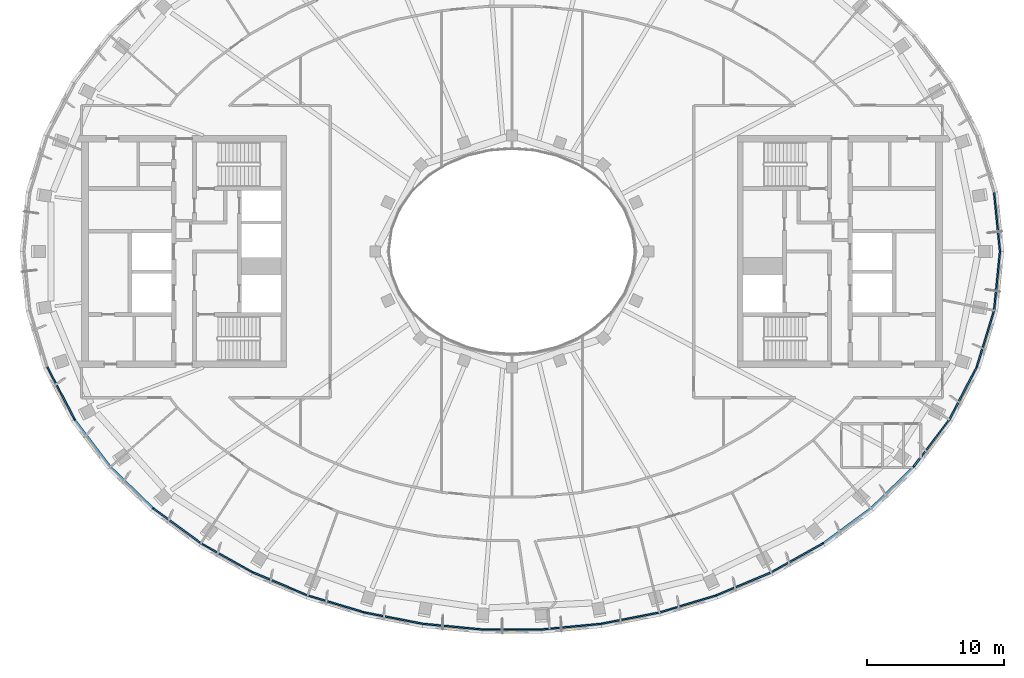
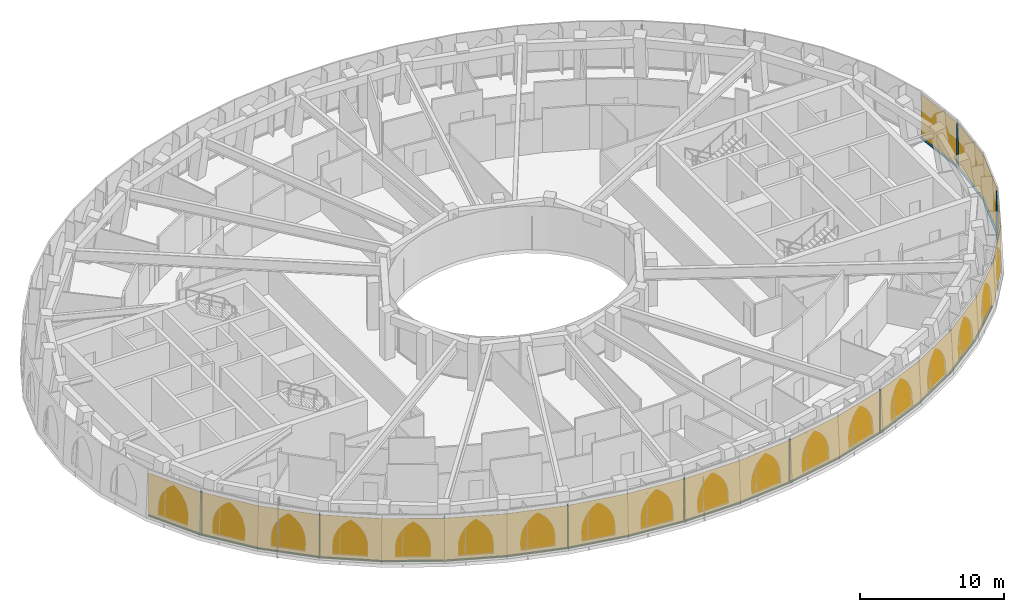
# One storey, part 9 of 15: 23 members, 1 curtain wall.
"""IFC4 building model written with IfcOpenShell, lengths in metres."""

import ifcopenshell
import ifcopenshell.guid

model = None  # the IFC model being written
_history = None  # IfcOwnerHistory: only IFC2X3 demands one
_inside = {}  # id of a spatial element -> (the spatial element, [elements in it])
_under = {}  # id of a project, library or spatial element -> (it, [spatial elements below it])
_declared = {}  # id of a project -> (the project, [libraries it declares])
_typed = {}  # id of a type object -> (the type object, [elements of that type])
_made_of = {}  # id of a material, layer set ... -> (it, [elements and type objects made of it])


def new_model(schema):
    """Start an empty IFC model of exactly this schema.

    Asked for "IFC4X3", IfcOpenShell would pick the latest addendum, in which some entities
    have other attributes; the version numbers below select the first issue.
    IFC2X3 requires an IfcOwnerHistory on every rooted entity: one is made here for all.
    """
    global model, _history
    if schema == "IFC4X3":
        model = ifcopenshell.file(schema_version=(4, 3, 0, 0))
    else:
        model = ifcopenshell.file(schema=schema)
    _inside.clear()
    _under.clear()
    _declared.clear()
    _typed.clear()
    _made_of.clear()
    _history = None
    if model.schema == "IFC2X3":
        org = make("IfcOrganization", Name="unknown")
        user = make(
            "IfcPersonAndOrganization",
            ThePerson=make("IfcPerson", FamilyName="unknown"),
            TheOrganization=org,
        )
        app = make(
            "IfcApplication",
            ApplicationDeveloper=org,
            Version="unknown",
            ApplicationFullName="unknown",
            ApplicationIdentifier="unknown",
        )
        _history = make(
            "IfcOwnerHistory",
            OwningUser=user,
            OwningApplication=app,
            ChangeAction="ADDED",
            CreationDate=0,
        )
    return model


def make(cls, **values):
    """One entity of the class cls with the attributes given. An attribute that is None is left unset."""
    return model.create_entity(
        cls, **{name: value for name, value in values.items() if value is not None}
    )


def rooted(cls, **values):
    """An entity with a GlobalId (a new one), such as an element, a storey or a relation."""
    return make(cls, GlobalId=ifcopenshell.guid.new(), OwnerHistory=_history, **values)


def si_unit(unit_type, name, prefix=None):
    """IfcSIUnit, for example si_unit("LENGTHUNIT", "METRE", prefix="MILLI")."""
    return make("IfcSIUnit", UnitType=unit_type, Prefix=prefix, Name=name)


def assignment(units):
    """IfcUnitAssignment: the units of a project."""
    return None if units is None else make("IfcUnitAssignment", Units=units)


def point(xyz):
    """IfcCartesianPoint."""
    return None if xyz is None else make("IfcCartesianPoint", Coordinates=xyz)


def direction(xyz):
    """IfcDirection."""
    return None if xyz is None else make("IfcDirection", DirectionRatios=xyz)


def frame(location, z_axis=None, x_axis=None):
    """IfcAxis2Placement3D, a coordinate frame: its origin and axes. An axis left out is left unset."""
    return make(
        "IfcAxis2Placement3D",
        Location=point(location),
        Axis=direction(z_axis),
        RefDirection=direction(x_axis),
    )


def frame_2d(location, x_axis=None):
    """IfcAxis2Placement2D, a coordinate frame in the plane: its origin and x axis."""
    return make(
        "IfcAxis2Placement2D", Location=point(location), RefDirection=direction(x_axis)
    )


def origin():
    """The frame at (0, 0, 0) with its axes left unset."""
    return frame((0.0, 0.0, 0.0))


def origin_2d():
    """The frame at (0, 0) in the plane with its x axis left unset."""
    return frame_2d((0.0, 0.0))


def place(relative_to, where):
    """IfcLocalPlacement: puts the frame where relative to a parent placement (None: the world)."""
    return make(
        "IfcLocalPlacement", PlacementRelTo=relative_to, RelativePlacement=where
    )


def context(
    kind, dimensions, precision=None, world=None, true_north=None, identifier=None
):
    """IfcGeometricRepresentationContext, for example the 3D "Model" context."""
    return make(
        "IfcGeometricRepresentationContext",
        ContextIdentifier=identifier,
        ContextType=kind,
        CoordinateSpaceDimension=dimensions,
        Precision=precision,
        WorldCoordinateSystem=world,
        TrueNorth=true_north,
    )


def subcontext(parent, identifier, kind, view, scale=None):
    """IfcGeometricRepresentationSubContext, for example "Body" below "Model"."""
    return make(
        "IfcGeometricRepresentationSubContext",
        ContextIdentifier=identifier,
        ContextType=kind,
        ParentContext=parent,
        TargetScale=scale,
        TargetView=view,
    )


def project(units=None, contexts=None):
    """IfcProject with its units and contexts."""
    return rooted(
        "IfcProject",
        Name="project",
        RepresentationContexts=contexts,
        UnitsInContext=assignment(units),
    )


def spatial(cls, under=None, at=None, **own):
    """A site, building, storey or space (cls), placed at a placement, below another one or the project."""
    s = rooted(cls, ObjectPlacement=at, **own)
    if under is not None:
        _under.setdefault(under.id(), (under, []))[1].append(s)
    return s


def polyline(points):
    """IfcPolyline through the points."""
    return make("IfcPolyline", Points=[point(p) for p in points])


def profile(cls, at=None, kind="AREA", **sizes):
    """A parametric profile (cls). Its sizes go by their IFC names, for example OverallWidth=200.0."""
    return make(cls, ProfileType=kind, Position=at, **sizes)


def rectangle(**sizes):
    """IfcRectangleProfileDef."""
    return profile("IfcRectangleProfileDef", **sizes)


def outline(outer, holes=None, kind="AREA"):
    """IfcArbitraryClosedProfileDef: a profile drawn as a closed curve; with holes, ...WithVoids."""
    if holes is None:
        return make("IfcArbitraryClosedProfileDef", ProfileType=kind, OuterCurve=outer)
    return make(
        "IfcArbitraryProfileDefWithVoids",
        ProfileType=kind,
        OuterCurve=outer,
        InnerCurves=holes,
    )


def extrude(swept, where, along, depth):
    """IfcExtrudedAreaSolid: the profile swept, set in the frame where, extruded along a direction by depth."""
    return make(
        "IfcExtrudedAreaSolid",
        SweptArea=swept,
        Position=where,
        ExtrudedDirection=direction(along),
        Depth=depth,
    )


def shape(context_of_items, identifier, shape_type, items):
    """IfcShapeRepresentation: the items that make up one representation, for example the "Body"."""
    return make(
        "IfcShapeRepresentation",
        ContextOfItems=context_of_items,
        RepresentationIdentifier=identifier,
        RepresentationType=shape_type,
        Items=items,
    )


def material(Name=None, Category=None):
    """IfcMaterial."""
    return make("IfcMaterial", Name=Name, Category=Category)


def layer(
    of_material, thickness, ventilated=None, Name=None, Category=None, Priority=None
):
    """IfcMaterialLayer: one layer of a wall or slab, of a material (None: an air gap)."""
    return make(
        "IfcMaterialLayer",
        Material=of_material,
        LayerThickness=thickness,
        IsVentilated=ventilated,
        Name=Name,
        Category=Category,
        Priority=Priority,
    )


def layer_set(layers, Name=None):
    """IfcMaterialLayerSet."""
    return make("IfcMaterialLayerSet", MaterialLayers=layers, LayerSetName=Name)


def material_profile(
    of_material, cross_section, Name=None, Category=None, Priority=None
):
    """IfcMaterialProfile: a cross section and its material."""
    return make(
        "IfcMaterialProfile",
        Name=Name,
        Material=of_material,
        Profile=cross_section,
        Priority=Priority,
        Category=Category,
    )


def profile_set(profiles, Name=None, composite=None):
    """IfcMaterialProfileSet."""
    return make(
        "IfcMaterialProfileSet",
        Name=Name,
        MaterialProfiles=profiles,
        CompositeProfile=composite,
    )


def made_of(thing, what):
    """Note that an element or type object is made of a material, layer set ...; save() writes the relation."""
    if what is not None:
        _made_of.setdefault(what.id(), (what, []))[1].append(thing)
    return thing


def type_object(cls, material=None, **own):
    """A type object (cls), such as IfcWallType, which elements share."""
    return made_of(rooted(cls, **own), material)


def element(
    cls,
    number,
    at=None,
    inside=None,
    cuts=None,
    type_object=None,
    material=None,
    context=None,
    identifier="Body",
    shape_type=None,
    held_by="IfcProductDefinitionShape",
    body=None,
    shapes=None,
    **own,
):
    """One element of the class cls, such as IfcWall. Its Tag is "e" and its number.

    at: its placement. inside: the storey or other place that contains it. cuts: it is an
    opening in that element (IfcRelVoidsElement). A single representation is given by context,
    identifier, shape_type and body (its items); several are given by shapes. held_by: the class
    of the entity that holds the representations. save() writes the other relations.
    """
    e = rooted(cls, Tag="e%d" % number, ObjectPlacement=at, **own)
    if body is not None:
        shapes = [shape(context, identifier, shape_type, body)]
    if shapes is not None:
        e.Representation = make(held_by, Representations=shapes)
    if inside is not None:
        _inside.setdefault(inside.id(), (inside, []))[1].append(e)
    if cuts is not None:
        rooted(
            "IfcRelVoidsElement", RelatingBuildingElement=cuts, RelatedOpeningElement=e
        )
    if type_object is not None:
        _typed.setdefault(type_object.id(), (type_object, []))[1].append(e)
    return made_of(e, material)


def aggregate(whole, parts):
    """IfcRelAggregates: a whole, such as a stair, and the parts it consists of."""
    return rooted("IfcRelAggregates", RelatingObject=whole, RelatedObjects=parts)


def save(model, path):
    """Write the relations noted so far, then the file.

    IfcRelAggregates (storeys below a building ...), IfcRelContainedInSpatialStructure (elements
    in a storey), IfcRelDefinesByType, IfcRelAssociatesMaterial and IfcRelDeclares: one each for
    every whole, place, type object, material and project.
    """
    for whole, parts in _under.values():
        aggregate(whole, parts)
    for where, things in _inside.values():
        rooted(
            "IfcRelContainedInSpatialStructure",
            RelatedElements=things,
            RelatingStructure=where,
        )
    for kind, things in _typed.values():
        rooted("IfcRelDefinesByType", RelatedObjects=things, RelatingType=kind)
    for what, things in _made_of.values():
        rooted("IfcRelAssociatesMaterial", RelatedObjects=things, RelatingMaterial=what)
    for by, libraries in _declared.values():
        rooted("IfcRelDeclares", RelatingContext=by, RelatedDefinitions=libraries)
    model.write(path)


model = new_model("IFC4")

# Units and contexts
model_context = context("Model", 3, precision=1e-05, world=origin(), true_north=direction((0.0, 1.0)))
body_context = subcontext(model_context, "Body", "Model", "MODEL_VIEW")
ifc_project = project(units=[si_unit("LENGTHUNIT", "METRE"), si_unit("AREAUNIT", "SQUARE_METRE"), si_unit("VOLUMEUNIT", "CUBIC_METRE"), si_unit("PLANEANGLEUNIT", "RADIAN"), si_unit("MASSUNIT", "GRAM", prefix="KILO")], contexts=[model_context])

# Member
ifc_material_1 = material(Name="Aluminium 6063-T6 black anodised", Category="aluminium")
ifc_material_profile = material_profile(ifc_material_1, rectangle(XDim=0.1201171875, YDim=0.06005859375, at=origin_2d()), Name="120x60")
ifc_profile_set = profile_set([ifc_material_profile], Name="Aluminium 6063-T6 black anodised")
member_type_1 = type_object("IfcMemberType", Name="ENV-MULLION-H-120", PredefinedType="MULLION", material=ifc_profile_set)
site_placement = place(None, origin())
building_placement = place(site_placement, origin())
storey_placement = place(building_placement, frame((0.0, 0.0, 331.0)))
member_1_placement = place(storey_placement, frame((-31.997802734375, -12.29638671875, 0.0), z_axis=(0.0, 0.0, 1.0), x_axis=(0.844447683861, 0.535638039372, 0.0)))
member_1 = element("IfcMember", 1, at=member_1_placement, type_object=member_type_1, Name="Mullion H radial 27", PredefinedType="MULLION", context=body_context, shape_type="SweptSolid", body=[
    extrude(rectangle(XDim=0.1201171875, YDim=0.06005859375, at=origin_2d()), origin(), (0.0, 0.0, 1.0), 3.699951171875),
])

member_2_placement = place(storey_placement, frame((-26.25634765625, -18.777099609375, 0.0), z_axis=(0.0, 0.0, 1.0), x_axis=(0.645854129125, 0.76346083324, 0.0)))
member_2 = element("IfcMember", 2, at=member_2_placement, type_object=member_type_1, Name="Mullion H radial 29", PredefinedType="MULLION", context=body_context, shape_type="SweptSolid", body=[
    extrude(rectangle(XDim=0.1201171875, YDim=0.06005859375, at=origin_2d()), origin(), (0.0, 0.0, 1.0), 3.699951171875),
])

member_3_placement = place(storey_placement, frame((-18.96142578125, -23.4775390625, 0.0), z_axis=(0.0, 0.0, 1.0), x_axis=(0.4386738804, 0.898646330129, 0.0)))
member_3 = element("IfcMember", 3, at=member_3_placement, type_object=member_type_1, Name="Mullion H radial 31", PredefinedType="MULLION", context=body_context, shape_type="SweptSolid", body=[
    extrude(rectangle(XDim=0.1201171875, YDim=0.06005859375, at=origin_2d()), origin(), (0.0, 0.0, 1.0), 3.699951171875),
])

member_4_placement = place(storey_placement, frame((-10.78271484375, -26.413818359375, 0.0), z_axis=(0.0, 0.0, 1.0), x_axis=(0.239439185243, 0.97091136391, 0.0)))
member_4 = element("IfcMember", 4, at=member_4_placement, type_object=member_type_1, Name="Mullion H radial 33", PredefinedType="MULLION", context=body_context, shape_type="SweptSolid", body=[
    extrude(rectangle(XDim=0.1201171875, YDim=0.06005859375, at=origin_2d()), origin(), (0.0, 0.0, 1.0), 3.699951171875),
])

member_5_placement = place(storey_placement, frame((-2.176513671875, -27.656005859375, 0.0), z_axis=(0.0, 0.0, 1.0), x_axis=(0.047482285731, 0.998872080169, 0.0)))
member_5 = element("IfcMember", 5, at=member_5_placement, type_object=member_type_1, Name="Mullion H radial 35", PredefinedType="MULLION", context=body_context, shape_type="SweptSolid", body=[
    extrude(rectangle(XDim=0.1201171875, YDim=0.06005859375, at=origin_2d()), origin(), (0.0, 0.0, 1.0), 3.699951171875),
])

member_6_placement = place(storey_placement, frame((6.510009765625, -27.2431640625, 0.0), z_axis=(0.0, 0.0, 1.0), x_axis=(-0.142858777509, 0.989743082668, 0.0)))
member_6 = element("IfcMember", 6, at=member_6_placement, type_object=member_type_1, Name="Mullion H radial 37", PredefinedType="MULLION", context=body_context, shape_type="SweptSolid", body=[
    extrude(rectangle(XDim=0.1201171875, YDim=0.06005859375, at=origin_2d()), origin(), (0.0, 0.0, 1.0), 3.699951171875),
])

member_7_placement = place(storey_placement, frame((14.950439453125, -25.16162109375, 0.0), z_axis=(0.0, 0.0, 1.0), x_axis=(-0.337902323267, 0.94118118337, 0.0)))
member_7 = element("IfcMember", 7, at=member_7_placement, type_object=member_type_1, Name="Mullion H radial 39", PredefinedType="MULLION", context=body_context, shape_type="SweptSolid", body=[
    extrude(rectangle(XDim=0.1201171875, YDim=0.06005859375, at=origin_2d()), origin(), (0.0, 0.0, 1.0), 3.699951171875),
])

member_8_placement = place(storey_placement, frame((22.7548828125, -21.35205078125, 0.0), z_axis=(0.0, 0.0, 1.0), x_axis=(-0.541670802907, 0.840590709726, 0.0)))
member_8 = element("IfcMember", 8, at=member_8_placement, type_object=member_type_1, Name="Mullion H radial 41", PredefinedType="MULLION", context=body_context, shape_type="SweptSolid", body=[
    extrude(rectangle(XDim=0.1201171875, YDim=0.06005859375, at=origin_2d()), origin(), (0.0, 0.0, 1.0), 3.699951171875),
])

member_9_placement = place(storey_placement, frame((29.373779296875, -15.753173828125, 0.0), z_axis=(0.0, 0.0, 1.0), x_axis=(-0.748526422101, 0.66310496561, 0.0)))
member_9 = element("IfcMember", 9, at=member_9_placement, type_object=member_type_1, Name="Mullion H radial 43", PredefinedType="MULLION", context=body_context, shape_type="SweptSolid", body=[
    extrude(rectangle(XDim=0.1201171875, YDim=0.06005859375, at=origin_2d()), origin(), (0.0, 0.0, 1.0), 3.699951171875),
])

member_10_placement = place(storey_placement, frame((34.005126953125, -8.45263671875, 0.0), z_axis=(0.0, 0.0, 1.0), x_axis=(-0.925258019924, 0.379338366853, 0.0)))
member_10 = element("IfcMember", 10, at=member_10_placement, type_object=member_type_1, Name="Mullion H radial 45", PredefinedType="MULLION", context=body_context, shape_type="SweptSolid", body=[
    extrude(rectangle(XDim=0.1201171875, YDim=0.06005859375, at=origin_2d()), origin(), (0.0, 0.0, 1.0), 3.699951171875),
])

member_11_placement = place(storey_placement, frame((35.70751953125, 0.0, 0.0), z_axis=(0.0, 0.0, 1.0), x_axis=(-1.0, 0.0, 0.0)))
member_11 = element("IfcMember", 11, at=member_11_placement, type_object=member_type_1, Name="Mullion H radial 01", PredefinedType="MULLION", context=body_context, shape_type="SweptSolid", body=[
    extrude(rectangle(XDim=0.1201171875, YDim=0.06005859375, at=origin_2d()), origin(), (0.0, 0.0, 1.0), 3.699951171875),
])

ifc_material_2 = material(Name="Aluminium 6063-T6 black anodised", Category="aluminium")
member_type_2 = type_object("IfcMemberType", Name="ENV-TRANSOM-H", PredefinedType="USERDEFINED", material=ifc_material_2)
member_12_placement = place(storey_placement, origin())
member_12 = element("IfcMember", 12, at=member_12_placement, type_object=member_type_2, Name="Transom H radial 26-27", ObjectType="TRANSOM", PredefinedType="USERDEFINED", context=body_context, shape_type="SweptSolid", body=[
    extrude(outline(polyline([(-34.060302734375, -8.475341796875), (-32.061279296875, -12.3037109375), (-31.959716796875, -12.2392578125), (-33.948974609375, -8.4296875), (-34.060302734375, -8.475341796875)])), origin(), (0.0, 0.0, 1.0), 0.10009765625),
])

member_13_placement = place(storey_placement, origin())
member_13 = element("IfcMember", 13, at=member_13_placement, type_object=member_type_2, Name="Transom H radial 27-29", ObjectType="TRANSOM", PredefinedType="USERDEFINED", context=body_context, shape_type="SweptSolid", body=[
    extrude(outline(polyline([(-32.031494140625, -12.350830078125), (-29.418701171875, -15.792724609375), (-26.315185546875, -18.803466796875), (-26.2373046875, -18.71142578125), (-29.32861328125, -15.712890625), (-31.9296875, -12.286376953125), (-32.031494140625, -12.350830078125)])), origin(), (0.0, 0.0, 1.0), 0.10009765625),
])

member_14_placement = place(storey_placement, origin())
member_14 = element("IfcMember", 14, at=member_14_placement, type_object=member_type_2, Name="Transom H radial 29-31", ObjectType="TRANSOM", PredefinedType="USERDEFINED", context=body_context, shape_type="SweptSolid", body=[
    extrude(outline(polyline([(-26.2724609375, -18.83935546875), (-22.787353515625, -21.40234375), (-19.01220703125, -23.517822265625), (-18.95947265625, -23.409912109375), (-22.722412109375, -21.30126953125), (-26.194580078125, -18.74755859375), (-26.2724609375, -18.83935546875)])), origin(), (0.0, 0.0, 1.0), 0.10009765625),
])

member_15_placement = place(storey_placement, origin())
member_15 = element("IfcMember", 15, at=member_15_placement, type_object=member_type_2, Name="Transom H radial 31-33", ObjectType="TRANSOM", PredefinedType="USERDEFINED", context=body_context, shape_type="SweptSolid", body=[
    extrude(outline(polyline([(-18.9619140625, -23.542236328125), (-14.970703125, -25.218017578125), (-10.823974609375, -26.464111328125), (-10.795166015625, -26.347412109375), (-14.929931640625, -25.10498046875), (-18.9091796875, -23.434326171875), (-18.9619140625, -23.542236328125)])), origin(), (0.0, 0.0, 1.0), 0.10009765625),
])

member_16_placement = place(storey_placement, origin())
member_16 = element("IfcMember", 16, at=member_16_placement, type_object=member_type_2, Name="Transom H radial 33-35", ObjectType="TRANSOM", PredefinedType="USERDEFINED", context=body_context, shape_type="SweptSolid", body=[
    extrude(outline(polyline([(-10.76953125, -26.477294921875), (-6.5185546875, -27.302490234375), (-2.207275390625, -27.713134765625), (-2.20166015625, -27.59326171875), (-6.50146484375, -27.18359375), (-10.740966796875, -26.360595703125), (-10.76953125, -26.477294921875)])), origin(), (0.0, 0.0, 1.0), 0.10009765625),
])

member_17_placement = place(storey_placement, origin())
member_17 = element("IfcMember", 17, at=member_17_placement, type_object=member_type_2, Name="Transom H radial 35-37", ObjectType="TRANSOM", PredefinedType="USERDEFINED", context=body_context, shape_type="SweptSolid", body=[
    extrude(outline(polyline([(-2.1513671875, -27.7158203125), (2.179443359375, -27.7158203125), (6.49072265625, -27.30517578125), (6.473388671875, -27.18603515625), (2.173583984375, -27.595947265625), (-2.145751953125, -27.595947265625), (-2.1513671875, -27.7158203125)])), origin(), (0.0, 0.0, 1.0), 0.10009765625),
])

member_18_placement = place(storey_placement, origin())
member_18 = element("IfcMember", 18, at=member_18_placement, type_object=member_type_2, Name="Transom H radial 37-39", ObjectType="TRANSOM", PredefinedType="USERDEFINED", context=body_context, shape_type="SweptSolid", body=[
    extrude(outline(polyline([(6.5458984375, -27.297119140625), (10.797119140625, -26.471923828125), (14.94384765625, -25.22607421875), (14.9033203125, -25.113037109375), (10.768310546875, -26.35546875), (6.52880859375, -27.17822265625), (6.5458984375, -27.297119140625)])), origin(), (0.0, 0.0, 1.0), 0.10009765625),
])

member_19_placement = place(storey_placement, origin())
member_19 = element("IfcMember", 19, at=member_19_placement, type_object=member_type_2, Name="Transom H radial 39-41", ObjectType="TRANSOM", PredefinedType="USERDEFINED", context=body_context, shape_type="SweptSolid", body=[
    extrude(outline(polyline([(14.996337890625, -25.207275390625), (18.98779296875, -23.531494140625), (22.762939453125, -21.416015625), (22.697998046875, -21.31494140625), (18.93505859375, -23.423583984375), (14.955810546875, -25.093994140625), (14.996337890625, -25.207275390625)])), origin(), (0.0, 0.0, 1.0), 0.10009765625),
])

member_20_placement = place(storey_placement, origin())
member_20 = element("IfcMember", 20, at=member_20_placement, type_object=member_type_2, Name="Transom H radial 41-43", ObjectType="TRANSOM", PredefinedType="USERDEFINED", context=body_context, shape_type="SweptSolid", body=[
    extrude(outline(polyline([(22.81005859375, -21.3857421875), (26.294921875, -18.822998046875), (29.398681640625, -15.812255859375), (29.30859375, -15.732421875), (26.21728515625, -18.73095703125), (22.744873046875, -21.28466796875), (22.81005859375, -21.3857421875)])), origin(), (0.0, 0.0, 1.0), 0.10009765625),
])

member_21_placement = place(storey_placement, origin())
member_21 = element("IfcMember", 21, at=member_21_placement, type_object=member_type_2, Name="Transom H radial 43-45", ObjectType="TRANSOM", PredefinedType="USERDEFINED", context=body_context, shape_type="SweptSolid", body=[
    extrude(outline(polyline([(29.435546875, -15.7705078125), (32.04833984375, -12.32861328125), (34.04736328125, -8.500244140625), (33.935791015625, -8.45458984375), (31.94677734375, -12.263916015625), (29.345458984375, -15.690673828125), (29.435546875, -15.7705078125)])), origin(), (0.0, 0.0, 1.0), 0.10009765625),
])

member_22_placement = place(storey_placement, origin())
member_22 = element("IfcMember", 22, at=member_22_placement, type_object=member_type_2, Name="Transom H radial 45-01", ObjectType="TRANSOM", PredefinedType="USERDEFINED", context=body_context, shape_type="SweptSolid", body=[
    extrude(outline(polyline([(34.068603515625, -8.448486328125), (35.33154296875, -4.321044921875), (35.764404296875, -0.02783203125), (35.643798828125, -0.02783203125), (35.21337890625, -4.29736328125), (33.95703125, -8.40283203125), (34.068603515625, -8.448486328125)])), origin(), (0.0, 0.0, 1.0), 0.10009765625),
])

member_23_placement = place(storey_placement, origin())
member_23 = element("IfcMember", 23, at=member_23_placement, type_object=member_type_2, Name="Transom H radial 01-02", ObjectType="TRANSOM", PredefinedType="USERDEFINED", context=body_context, shape_type="SweptSolid", body=[
    extrude(outline(polyline([(35.764404296875, 0.02783203125), (35.33154296875, 4.321044921875), (35.21337890625, 4.29736328125), (35.643798828125, 0.02783203125), (35.764404296875, 0.02783203125)])), origin(), (0.0, 0.0, 1.0), 0.10009765625),
])

# Site, building, storey
site = spatial("IfcSite", under=ifc_project, at=site_placement, CompositionType="ELEMENT")
building = spatial("IfcBuilding", under=site, at=building_placement, Name="Noorbagh Ring Tower", CompositionType="ELEMENT")
storey = spatial("IfcBuildingStorey", under=building, at=storey_placement, Name="L72", CompositionType="ELEMENT", Elevation=331.0)

# Curtain wall
ifc_material_3 = material(Name="Glass dark tinted laminated", Category="glass")
ifc_layer = layer(ifc_material_3, 0.031982421875)
ifc_layer_set = layer_set([ifc_layer], Name="Glass dark tinted laminated")
curtain_wall_type = type_object("IfcCurtainWallType", Name="ENV-CW-H", PredefinedType="NOTDEFINED", material=ifc_layer_set)
curtain_wall_placement = place(storey_placement, origin())
curtain_wall = element("IfcCurtainWall", 24, at=curtain_wall_placement, inside=storey, type_object=curtain_wall_type, Name="Curtain wall H R26", PredefinedType="NOTDEFINED", context=body_context, shape_type="SweptSolid", body=[
    extrude(outline(polyline([(-34.090087890625, -8.487548828125), (-32.07568359375, -12.345703125), (-29.442626953125, -15.814208984375), (-26.315673828125, -18.847412109375), (-22.8046875, -21.42919921875), (-19.001708984375, -23.560302734375), (-14.9814453125, -25.248291015625), (-10.8046875, -26.503173828125), (-6.523193359375, -27.333984375), (-2.180908203125, -27.747802734375), (2.180908203125, -27.747802734375), (6.523193359375, -27.333984375), (10.8046875, -26.503173828125), (14.9814453125, -25.248291015625), (19.001708984375, -23.560302734375), (22.8046875, -21.42919921875), (26.315673828125, -18.847412109375), (29.442626953125, -15.814208984375), (32.07568359375, -12.345703125), (34.090087890625, -8.487548828125), (35.363037109375, -4.327392578125), (35.799560546875, 0.0), (35.363037109375, 4.327392578125), (35.33154296875, 4.321044921875), (35.767333984375, 0.0), (35.33154296875, -4.321044921875), (34.060302734375, -8.475341796875), (32.04833984375, -12.32861328125), (29.418701171875, -15.792724609375), (26.294921875, -18.822998046875), (22.787353515625, -21.40234375), (18.98779296875, -23.531494140625), (14.970703125, -25.218017578125), (10.797119140625, -26.471923828125), (6.5185546875, -27.302490234375), (2.179443359375, -27.7158203125), (-2.179443359375, -27.7158203125), (-6.5185546875, -27.302490234375), (-10.797119140625, -26.471923828125), (-14.970703125, -25.218017578125), (-18.98779296875, -23.531494140625), (-22.787353515625, -21.40234375), (-26.294921875, -18.822998046875), (-29.418701171875, -15.792724609375), (-32.04833984375, -12.32861328125), (-34.060302734375, -8.475341796875), (-34.090087890625, -8.487548828125)])), origin(), (0.0, 0.0, 1.0), 3.699951171875),
])

aggregate(curtain_wall, [member_1, member_2, member_3, member_4, member_5, member_6, member_7, member_8, member_9, member_10, member_11, member_12, member_13, member_14, member_15, member_16, member_17, member_18, member_19, member_20, member_21, member_22, member_23])

save(model, "model.ifc")
